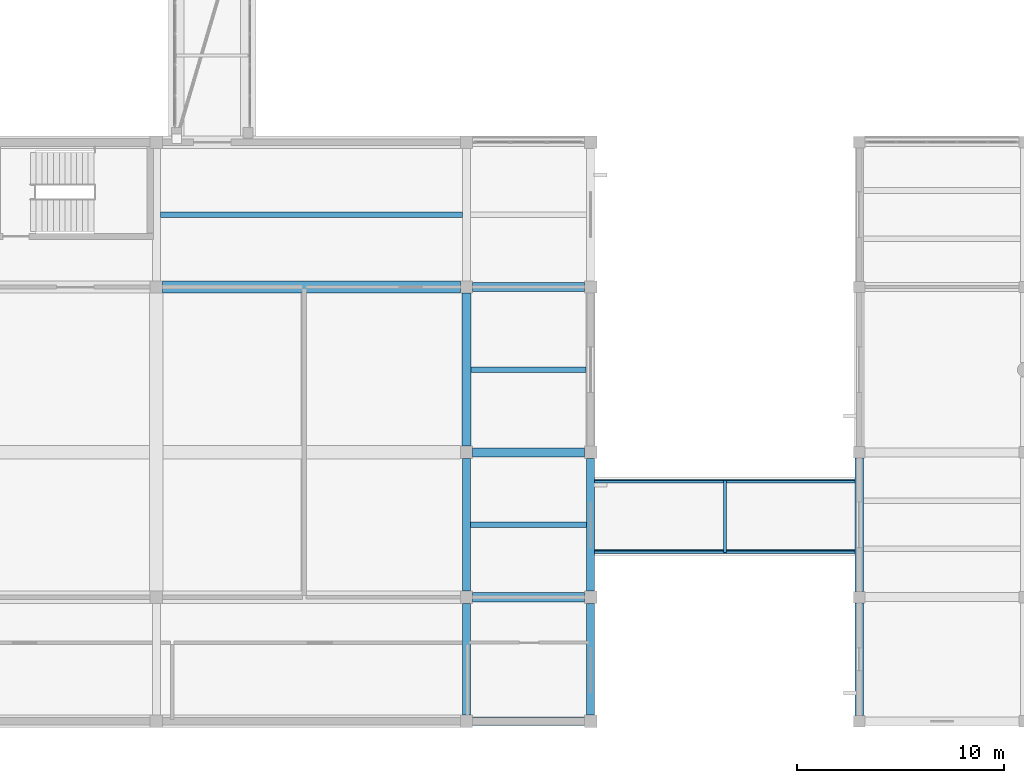
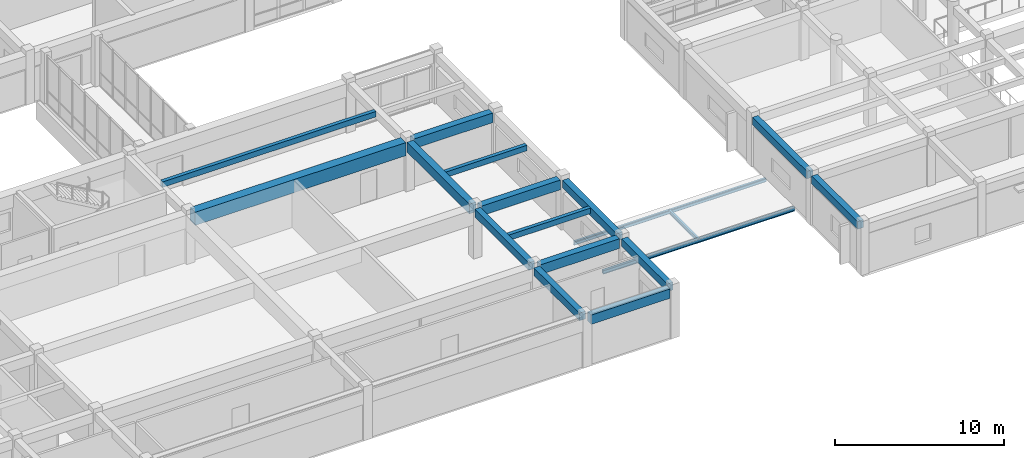
# One storey, part 7 of 66: 18 beams, 2 members.
"""IFC4 building model written with IfcOpenShell, lengths in metres."""

from ifc_helpers import new_model, si_unit, direction, frame, origin, origin_2d, place, context, subcontext, project, spatial, rectangle, hollow_rectangle, i_section, extrude, material, material_profile, profile_set, type_object, element, save


model = new_model("IFC4")

# Units and contexts
model_context = context("Model", 3, precision=1e-05, world=origin(), true_north=direction((0.0, 1.0)))
body_context = subcontext(model_context, "Body", "Model", "MODEL_VIEW")
ifc_project = project(units=[si_unit("LENGTHUNIT", "METRE"), si_unit("AREAUNIT", "SQUARE_METRE"), si_unit("VOLUMEUNIT", "CUBIC_METRE"), si_unit("PLANEANGLEUNIT", "RADIAN"), si_unit("MASSUNIT", "GRAM", prefix="KILO")], contexts=[model_context])

# Site, building, storey
site_placement = place(None, origin())
site = spatial("IfcSite", under=ifc_project, at=site_placement, CompositionType="ELEMENT")
building_placement = place(site_placement, origin())
building = spatial("IfcBuilding", under=site, at=building_placement, Name="Naurynzar Civic Courthouse", CompositionType="ELEMENT")
storey_placement = place(building_placement, frame((0.0, 0.0, 14.39990234375)))
storey = spatial("IfcBuildingStorey", under=building, at=storey_placement, Name="L04", CompositionType="ELEMENT", Elevation=14.39990234375)

# Beams
ifc_material_1 = material(Name="Concrete C40/50", Category="concrete")
ifc_material_profile_1 = material_profile(ifc_material_1, rectangle(XDim=0.25, YDim=0.39990234375, at=origin_2d()), Name="RCB 250x400")
ifc_profile_set_1 = profile_set([ifc_material_profile_1], Name="Concrete C40/50")
beam_type_1 = type_object("IfcBeamType", Name="BM-JST-250x400", PredefinedType="JOIST", material=ifc_profile_set_1)
beam_1_placement = place(storey_placement, frame((50.199951171875, 13.5, 3.380126953125), z_axis=(1.0, 0.0, 0.0), x_axis=(0.0, 1.0, 0.0)))
element("IfcBeam", 1, at=beam_1_placement, inside=storey, type_object=beam_type_1, Name="V4 secondary rib 1960 L04", PredefinedType="JOIST", context=body_context, shape_type="SweptSolid", body=[
    extrude(rectangle(XDim=0.25, YDim=0.39990234375, at=origin_2d()), origin(), (0.0, 0.0, 1.0), 5.60009765625),
])
beam_2_placement = place(storey_placement, frame((50.22509765625, 21.0, 3.380126953125), z_axis=(1.0, 0.0, 0.0), x_axis=(0.0, 1.0, 0.0)))
element("IfcBeam", 2, at=beam_2_placement, inside=storey, type_object=beam_type_1, Name="V4 secondary rib 1963 L04", PredefinedType="JOIST", context=body_context, shape_type="SweptSolid", body=[
    extrude(rectangle(XDim=0.25, YDim=0.39990234375, at=origin_2d()), origin(), (0.0, 0.0, 1.0), 5.5498046875),
])
beam_3_placement = place(storey_placement, frame((35.199951171875, 28.5, 3.380126953125), z_axis=(1.0, 0.0, 0.0), x_axis=(0.0, 1.0, 0.0)))
element("IfcBeam", 3, at=beam_3_placement, inside=storey, type_object=beam_type_1, Name="V4 secondary rib 1964 L04", PredefinedType="JOIST", context=body_context, shape_type="SweptSolid", body=[
    extrude(rectangle(XDim=0.25, YDim=0.39990234375, at=origin_2d()), origin(), (0.0, 0.0, 1.0), 14.60009765625),
])
ifc_material_2 = material(Name="Concrete C40/50", Category="concrete")
ifc_material_profile_2 = material_profile(ifc_material_2, rectangle(XDim=0.60009765625, YDim=0.949951171875, at=origin_2d()), Name="PTB 600x950")
ifc_profile_set_2 = profile_set([ifc_material_profile_2], Name="Concrete C40/50")
beam_type_2 = type_object("IfcBeamType", Name="BM-PT-600x950", PredefinedType="T_BEAM", material=ifc_profile_set_2)
beam_4_placement = place(storey_placement, frame((35.300048828125, 25.0, 3.10498046875), z_axis=(1.0, 0.0, 0.0), x_axis=(0.0, 1.0, 0.0)))
element("IfcBeam", 4, at=beam_4_placement, inside=storey, type_object=beam_type_2, Name="V4 beam X-1928 L04", PredefinedType="T_BEAM", context=body_context, shape_type="SweptSolid", body=[
    extrude(rectangle(XDim=0.60009765625, YDim=0.949951171875, at=origin_2d()), origin(), (0.0, 0.0, 1.0), 14.39990234375),
])
ifc_material_3 = material(Name="Concrete C40/50", Category="concrete")
ifc_material_profile_3 = material_profile(ifc_material_3, rectangle(XDim=0.39990234375, YDim=0.550048828125, at=origin_2d()), Name="RCB 400x550")
ifc_profile_set_3 = profile_set([ifc_material_profile_3], Name="Concrete C40/50")
beam_type_3 = type_object("IfcBeamType", Name="BM-RC-400x550", PredefinedType="BEAM", material=ifc_profile_set_3)
beam_5_placement = place(storey_placement, frame((69.0, 4.27490234375, 3.28515625), z_axis=(0.0, 1.0, 0.0), x_axis=(-1.0, 0.0, 0.0)))
element("IfcBeam", 5, at=beam_5_placement, inside=storey, type_object=beam_type_3, Name="V3 girder Y-1519 L04", PredefinedType="BEAM", context=body_context, shape_type="SweptSolid", body=[
    extrude(rectangle(XDim=0.39990234375, YDim=0.550048828125, at=origin_2d()), origin(), (0.0, 0.0, 1.0), 5.4501953125),
])
beam_6_placement = place(storey_placement, frame((69.0, 10.27490234375, 3.28515625), z_axis=(0.0, 1.0, 0.0), x_axis=(-1.0, 0.0, 0.0)))
element("IfcBeam", 6, at=beam_6_placement, inside=storey, type_object=beam_type_3, Name="V3 girder Y-1520 L04", PredefinedType="BEAM", context=body_context, shape_type="SweptSolid", body=[
    extrude(rectangle(XDim=0.39990234375, YDim=0.550048828125, at=origin_2d()), origin(), (0.0, 0.0, 1.0), 6.4501953125),
])
beam_7_placement = place(storey_placement, frame((50.0, 4.300048828125, 3.30517578125), z_axis=(0.0, 1.0, 0.0), x_axis=(-1.0, 0.0, 0.0)))
element("IfcBeam", 7, at=beam_7_placement, inside=storey, type_object=beam_type_3, Name="V4 girder Y-1950 L04", PredefinedType="BEAM", context=body_context, shape_type="SweptSolid", body=[
    extrude(rectangle(XDim=0.39990234375, YDim=0.550048828125, at=origin_2d()), origin(), (0.0, 0.0, 1.0), 5.39990234375),
])
beam_8_placement = place(storey_placement, frame((50.0, 10.300048828125, 3.30517578125), z_axis=(0.0, 1.0, 0.0), x_axis=(-1.0, 0.0, 0.0)))
element("IfcBeam", 8, at=beam_8_placement, inside=storey, type_object=beam_type_3, Name="V4 girder Y-1951 L04", PredefinedType="BEAM", context=body_context, shape_type="SweptSolid", body=[
    extrude(rectangle(XDim=0.39990234375, YDim=0.550048828125, at=origin_2d()), origin(), (0.0, 0.0, 1.0), 6.39990234375),
])
beam_9_placement = place(storey_placement, frame((56.0, 4.300048828125, 3.30517578125), z_axis=(0.0, 1.0, 0.0), x_axis=(-1.0, 0.0, 0.0)))
element("IfcBeam", 9, at=beam_9_placement, inside=storey, type_object=beam_type_3, Name="V4 girder Y-1954 L04", PredefinedType="BEAM", context=body_context, shape_type="SweptSolid", body=[
    extrude(rectangle(XDim=0.39990234375, YDim=0.550048828125, at=origin_2d()), origin(), (0.0, 0.0, 1.0), 5.39990234375),
])
beam_10_placement = place(storey_placement, frame((56.0, 10.300048828125, 3.30517578125), z_axis=(0.0, 1.0, 0.0), x_axis=(-1.0, 0.0, 0.0)))
element("IfcBeam", 10, at=beam_10_placement, inside=storey, type_object=beam_type_3, Name="V4 girder Y-1955 L04", PredefinedType="BEAM", context=body_context, shape_type="SweptSolid", body=[
    extrude(rectangle(XDim=0.39990234375, YDim=0.550048828125, at=origin_2d()), origin(), (0.0, 0.0, 1.0), 6.39990234375),
])
ifc_material_4 = material(Name="Concrete C40/50", Category="concrete")
ifc_material_profile_4 = material_profile(ifc_material_4, rectangle(XDim=0.425048828125, YDim=0.675048828125, at=origin_2d()), Name="RCB 425x675")
ifc_profile_set_4 = profile_set([ifc_material_profile_4], Name="Concrete C40/50")
beam_type_4 = type_object("IfcBeamType", Name="BM-RC-425x675", PredefinedType="SPANDREL", material=ifc_profile_set_4)
beam_11_placement = place(storey_placement, frame((50.300048828125, 4.0, 3.24267578125), z_axis=(1.0, 0.0, 0.0), x_axis=(0.0, 1.0, 0.0)))
element("IfcBeam", 11, at=beam_11_placement, inside=storey, type_object=beam_type_4, Name="V4 beam X-1915 L04", PredefinedType="SPANDREL", context=body_context, shape_type="SweptSolid", body=[
    extrude(rectangle(XDim=0.425048828125, YDim=0.675048828125, at=origin_2d()), origin(), (0.0, 0.0, 1.0), 5.39990234375),
])
ifc_material_5 = material(Name="Concrete C40/50", Category="concrete")
ifc_material_profile_5 = material_profile(ifc_material_5, rectangle(XDim=0.449951171875, YDim=0.699951171875, at=origin_2d()), Name="RCB 450x700")
ifc_profile_set_5 = profile_set([ifc_material_profile_5], Name="Concrete C40/50")
beam_type_5 = type_object("IfcBeamType", Name="BM-RC-450x700", PredefinedType="BEAM", material=ifc_profile_set_5)
for number, where, z_axis, x_axis, name in (
    (12, (50.300048828125, 10.0, 3.22998046875), (1.0, 0.0, 0.0), (0.0, 1.0, 0.0), "V4 beam X-1920 L04"),
    (13, (50.300048828125, 17.0, 3.22998046875), (1.0, 0.0, 0.0), (0.0, 1.0, 0.0), "V4 beam X-1924 L04"),
    (14, (50.300048828125, 25.0, 3.22998046875), (1.0, 0.0, 0.0), (0.0, 1.0, 0.0), "V4 beam X-1929 L04"),
):
    element("IfcBeam", number, at=place(storey_placement, frame(where, z_axis=z_axis, x_axis=x_axis)), inside=storey, type_object=beam_type_5, Name=name, PredefinedType="BEAM", context=body_context, shape_type="SweptSolid", body=[
        extrude(rectangle(XDim=0.449951171875, YDim=0.699951171875, at=origin_2d()), origin(), (0.0, 0.0, 1.0), 5.39990234375),
    ])
beam_12_placement = place(storey_placement, frame((50.0, 17.300048828125, 3.22998046875), z_axis=(0.0, 1.0, 0.0), x_axis=(-1.0, 0.0, 0.0)))
element("IfcBeam", 15, at=beam_12_placement, inside=storey, type_object=beam_type_5, Name="V4 girder Y-1952 L04", PredefinedType="BEAM", context=body_context, shape_type="SweptSolid", body=[
    extrude(rectangle(XDim=0.449951171875, YDim=0.699951171875, at=origin_2d()), origin(), (0.0, 0.0, 1.0), 7.39990234375),
])
ifc_material_6 = material(Name="Steel S355", Category="steel")
ifc_material_profile_6 = material_profile(ifc_material_6, i_section(OverallWidth=0.135009765625, OverallDepth=0.27001953125, WebThickness=0.006591796875, FlangeThickness=0.01025390625, FilletRadius=0.014892578125, at=origin_2d()), Name="IPE 270")
ifc_profile_set_6 = profile_set([ifc_material_profile_6], Name="Steel S355")
beam_type_6 = type_object("IfcBeamType", Name="BM-STL-IPE270", PredefinedType="BEAM", material=ifc_profile_set_6)
for number, where, z_axis, x_axis, name in (
    (16, (55.949951171875, 12.169921875, -0.364990234375), (1.0, 0.0, 0.0), (0.0, 1.0, 0.0), "BR-S1 roof edge beam 1"),
    (17, (55.949951171875, 15.6298828125, -0.364990234375), (1.0, 0.0, 0.0), (0.0, 1.0, 0.0), "BR-S1 roof edge beam 2"),
):
    element("IfcBeam", number, at=place(storey_placement, frame(where, z_axis=z_axis, x_axis=x_axis)), inside=storey, type_object=beam_type_6, Name=name, PredefinedType="BEAM", context=body_context, shape_type="SweptSolid", body=[
        extrude(i_section(OverallWidth=0.135009765625, OverallDepth=0.27001953125, WebThickness=0.006591796875, FlangeThickness=0.01025390625, FilletRadius=0.014892578125, at=origin_2d()), origin(), (0.0, 0.0, 1.0), 13.10009765625),
    ])
beam_13_placement = place(storey_placement, frame((62.5, 12.169921875, -0.364990234375), z_axis=(0.0, 1.0, 0.0), x_axis=(-1.0, 0.0, 0.0)))
element("IfcBeam", 18, at=beam_13_placement, inside=storey, type_object=beam_type_6, Name="BR-S1 roof cross-beam 1", PredefinedType="BEAM", context=body_context, shape_type="SweptSolid", body=[
    extrude(i_section(OverallWidth=0.135009765625, OverallDepth=0.27001953125, WebThickness=0.006591796875, FlangeThickness=0.01025390625, FilletRadius=0.014892578125, at=origin_2d()), origin(), (0.0, 0.0, 1.0), 3.4599609375),
])

# Members
ifc_material_7 = material(Name="Steel S355", Category="steel")
ifc_material_profile_7 = material_profile(ifc_material_7, hollow_rectangle(XDim=0.1201171875, YDim=0.199951171875, WallThickness=0.008056640625, InnerFilletRadius=0.008056640625, OuterFilletRadius=0.01611328125, at=origin_2d()), Name="RHS 200x120x8")
ifc_profile_set_7 = profile_set([ifc_material_profile_7], Name="Steel S355")
member_type_1 = type_object("IfcMemberType", Name="MEM-CHORD-RHS200", PredefinedType="CHORD", material=ifc_profile_set_7)
member_1_placement = place(storey_placement, frame((55.949951171875, 15.580078125, -0.35498046875), z_axis=(1.0, 0.0, 0.0), x_axis=(0.0, 1.0, 0.0)))
element("IfcMember", 19, at=member_1_placement, inside=storey, type_object=member_type_1, Name="BR-S1 roof chord 2", PredefinedType="CHORD", context=body_context, shape_type="SweptSolid", body=[
    extrude(hollow_rectangle(XDim=0.1201171875, YDim=0.199951171875, WallThickness=0.008056640625, InnerFilletRadius=0.008056640625, OuterFilletRadius=0.01611328125, at=origin_2d()), origin(), (0.0, 0.0, 1.0), 13.10009765625),
])
ifc_material_8 = material(Name="Steel S355", Category="steel")
ifc_material_profile_8 = material_profile(ifc_material_8, hollow_rectangle(XDim=0.14990234375, YDim=0.25, WallThickness=0.010009765625, InnerFilletRadius=0.010009765625, OuterFilletRadius=0.02001953125, at=origin_2d()), Name="RHS 250x150x10")
ifc_profile_set_8 = profile_set([ifc_material_profile_8], Name="Steel S355")
member_type_2 = type_object("IfcMemberType", Name="MEM-CHORD-RHS250", PredefinedType="CHORD", material=ifc_profile_set_8)
member_2_placement = place(storey_placement, frame((55.949951171875, 12.219970703125, -0.35498046875), z_axis=(1.0, 0.0, 0.0), x_axis=(0.0, 1.0, 0.0)))
element("IfcMember", 20, at=member_2_placement, inside=storey, type_object=member_type_2, Name="BR-S1 roof chord 1", PredefinedType="CHORD", context=body_context, shape_type="SweptSolid", body=[
    extrude(hollow_rectangle(XDim=0.14990234375, YDim=0.25, WallThickness=0.010009765625, InnerFilletRadius=0.010009765625, OuterFilletRadius=0.02001953125, at=origin_2d()), origin(), (0.0, 0.0, 1.0), 13.10009765625),
])

save(model, "model.ifc")
